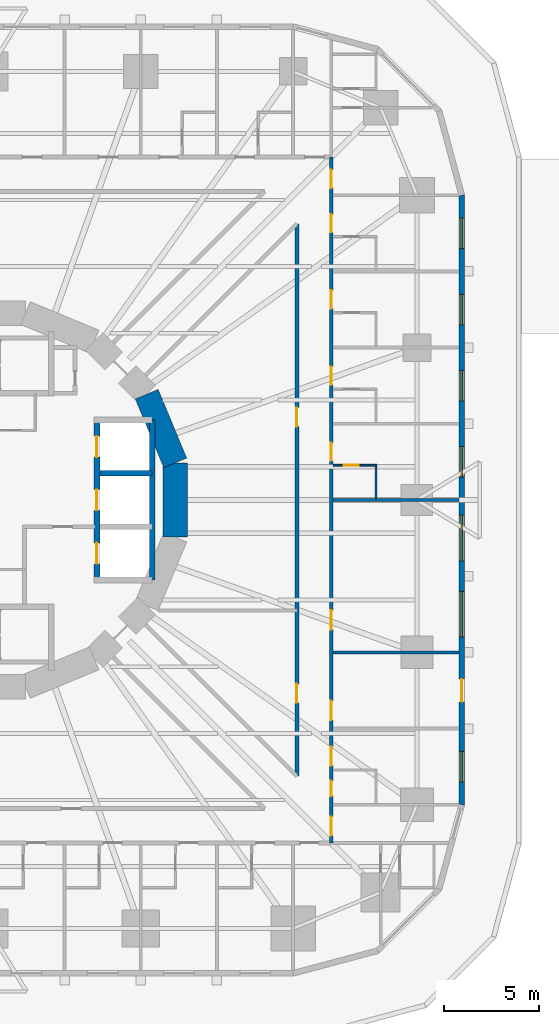
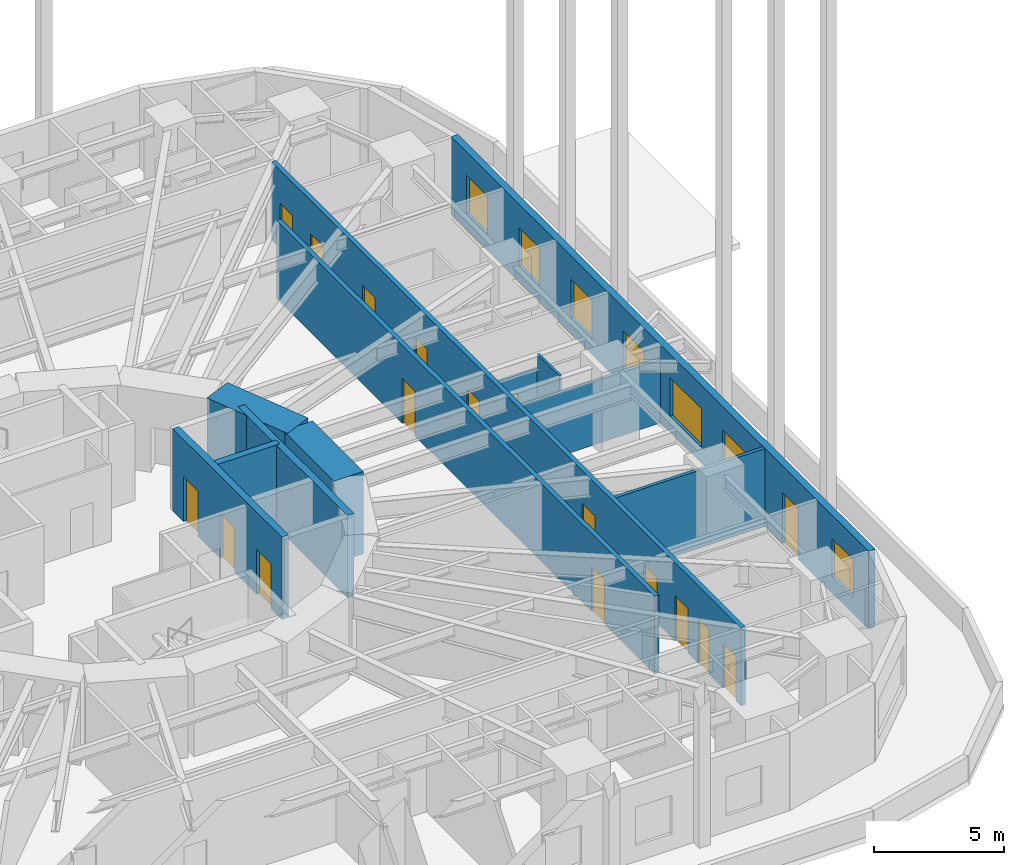
# One storey, part 8 of 13: 17 doors, 12 walls, 7 windows, 24 openings.
"""IFC4 building model written with IfcOpenShell, lengths in metres."""

import ifcopenshell
import ifcopenshell.guid

model = None  # the IFC model being written
_history = None  # IfcOwnerHistory: only IFC2X3 demands one
_inside = {}  # id of a spatial element -> (the spatial element, [elements in it])
_under = {}  # id of a project, library or spatial element -> (it, [spatial elements below it])
_declared = {}  # id of a project -> (the project, [libraries it declares])
_typed = {}  # id of a type object -> (the type object, [elements of that type])
_made_of = {}  # id of a material, layer set ... -> (it, [elements and type objects made of it])


def new_model(schema):
    """Start an empty IFC model of exactly this schema.

    Asked for "IFC4X3", IfcOpenShell would pick the latest addendum, in which some entities
    have other attributes; the version numbers below select the first issue.
    IFC2X3 requires an IfcOwnerHistory on every rooted entity: one is made here for all.
    """
    global model, _history
    if schema == "IFC4X3":
        model = ifcopenshell.file(schema_version=(4, 3, 0, 0))
    else:
        model = ifcopenshell.file(schema=schema)
    _inside.clear()
    _under.clear()
    _declared.clear()
    _typed.clear()
    _made_of.clear()
    _history = None
    if model.schema == "IFC2X3":
        org = make("IfcOrganization", Name="unknown")
        user = make(
            "IfcPersonAndOrganization",
            ThePerson=make("IfcPerson", FamilyName="unknown"),
            TheOrganization=org,
        )
        app = make(
            "IfcApplication",
            ApplicationDeveloper=org,
            Version="unknown",
            ApplicationFullName="unknown",
            ApplicationIdentifier="unknown",
        )
        _history = make(
            "IfcOwnerHistory",
            OwningUser=user,
            OwningApplication=app,
            ChangeAction="ADDED",
            CreationDate=0,
        )
    return model


def make(cls, **values):
    """One entity of the class cls with the attributes given. An attribute that is None is left unset."""
    return model.create_entity(
        cls, **{name: value for name, value in values.items() if value is not None}
    )


def rooted(cls, **values):
    """An entity with a GlobalId (a new one), such as an element, a storey or a relation."""
    return make(cls, GlobalId=ifcopenshell.guid.new(), OwnerHistory=_history, **values)


def si_unit(unit_type, name, prefix=None):
    """IfcSIUnit, for example si_unit("LENGTHUNIT", "METRE", prefix="MILLI")."""
    return make("IfcSIUnit", UnitType=unit_type, Prefix=prefix, Name=name)


def assignment(units):
    """IfcUnitAssignment: the units of a project."""
    return None if units is None else make("IfcUnitAssignment", Units=units)


def point(xyz):
    """IfcCartesianPoint."""
    return None if xyz is None else make("IfcCartesianPoint", Coordinates=xyz)


def direction(xyz):
    """IfcDirection."""
    return None if xyz is None else make("IfcDirection", DirectionRatios=xyz)


def frame(location, z_axis=None, x_axis=None):
    """IfcAxis2Placement3D, a coordinate frame: its origin and axes. An axis left out is left unset."""
    return make(
        "IfcAxis2Placement3D",
        Location=point(location),
        Axis=direction(z_axis),
        RefDirection=direction(x_axis),
    )


def frame_2d(location, x_axis=None):
    """IfcAxis2Placement2D, a coordinate frame in the plane: its origin and x axis."""
    return make(
        "IfcAxis2Placement2D", Location=point(location), RefDirection=direction(x_axis)
    )


def origin():
    """The frame at (0, 0, 0) with its axes left unset."""
    return frame((0.0, 0.0, 0.0))


def place(relative_to, where):
    """IfcLocalPlacement: puts the frame where relative to a parent placement (None: the world)."""
    return make(
        "IfcLocalPlacement", PlacementRelTo=relative_to, RelativePlacement=where
    )


def context(
    kind, dimensions, precision=None, world=None, true_north=None, identifier=None
):
    """IfcGeometricRepresentationContext, for example the 3D "Model" context."""
    return make(
        "IfcGeometricRepresentationContext",
        ContextIdentifier=identifier,
        ContextType=kind,
        CoordinateSpaceDimension=dimensions,
        Precision=precision,
        WorldCoordinateSystem=world,
        TrueNorth=true_north,
    )


def subcontext(parent, identifier, kind, view, scale=None):
    """IfcGeometricRepresentationSubContext, for example "Body" below "Model"."""
    return make(
        "IfcGeometricRepresentationSubContext",
        ContextIdentifier=identifier,
        ContextType=kind,
        ParentContext=parent,
        TargetScale=scale,
        TargetView=view,
    )


def project(units=None, contexts=None):
    """IfcProject with its units and contexts."""
    return rooted(
        "IfcProject",
        Name="project",
        RepresentationContexts=contexts,
        UnitsInContext=assignment(units),
    )


def spatial(cls, under=None, at=None, **own):
    """A site, building, storey or space (cls), placed at a placement, below another one or the project."""
    s = rooted(cls, ObjectPlacement=at, **own)
    if under is not None:
        _under.setdefault(under.id(), (under, []))[1].append(s)
    return s


def profile(cls, at=None, kind="AREA", **sizes):
    """A parametric profile (cls). Its sizes go by their IFC names, for example OverallWidth=200.0."""
    return make(cls, ProfileType=kind, Position=at, **sizes)


def rectangle(**sizes):
    """IfcRectangleProfileDef."""
    return profile("IfcRectangleProfileDef", **sizes)


def extrude(swept, where, along, depth):
    """IfcExtrudedAreaSolid: the profile swept, set in the frame where, extruded along a direction by depth."""
    return make(
        "IfcExtrudedAreaSolid",
        SweptArea=swept,
        Position=where,
        ExtrudedDirection=direction(along),
        Depth=depth,
    )


def shape(context_of_items, identifier, shape_type, items):
    """IfcShapeRepresentation: the items that make up one representation, for example the "Body"."""
    return make(
        "IfcShapeRepresentation",
        ContextOfItems=context_of_items,
        RepresentationIdentifier=identifier,
        RepresentationType=shape_type,
        Items=items,
    )


def material(Name=None, Category=None):
    """IfcMaterial."""
    return make("IfcMaterial", Name=Name, Category=Category)


def layer(
    of_material, thickness, ventilated=None, Name=None, Category=None, Priority=None
):
    """IfcMaterialLayer: one layer of a wall or slab, of a material (None: an air gap)."""
    return make(
        "IfcMaterialLayer",
        Material=of_material,
        LayerThickness=thickness,
        IsVentilated=ventilated,
        Name=Name,
        Category=Category,
        Priority=Priority,
    )


def layer_set(layers, Name=None):
    """IfcMaterialLayerSet."""
    return make("IfcMaterialLayerSet", MaterialLayers=layers, LayerSetName=Name)


def made_of(thing, what):
    """Note that an element or type object is made of a material, layer set ...; save() writes the relation."""
    if what is not None:
        _made_of.setdefault(what.id(), (what, []))[1].append(thing)
    return thing


def type_object(cls, material=None, **own):
    """A type object (cls), such as IfcWallType, which elements share."""
    return made_of(rooted(cls, **own), material)


def element(
    cls,
    number,
    at=None,
    inside=None,
    cuts=None,
    type_object=None,
    material=None,
    context=None,
    identifier="Body",
    shape_type=None,
    held_by="IfcProductDefinitionShape",
    body=None,
    shapes=None,
    **own,
):
    """One element of the class cls, such as IfcWall. Its Tag is "e" and its number.

    at: its placement. inside: the storey or other place that contains it. cuts: it is an
    opening in that element (IfcRelVoidsElement). A single representation is given by context,
    identifier, shape_type and body (its items); several are given by shapes. held_by: the class
    of the entity that holds the representations. save() writes the other relations.
    """
    e = rooted(cls, Tag="e%d" % number, ObjectPlacement=at, **own)
    if body is not None:
        shapes = [shape(context, identifier, shape_type, body)]
    if shapes is not None:
        e.Representation = make(held_by, Representations=shapes)
    if inside is not None:
        _inside.setdefault(inside.id(), (inside, []))[1].append(e)
    if cuts is not None:
        rooted(
            "IfcRelVoidsElement", RelatingBuildingElement=cuts, RelatedOpeningElement=e
        )
    if type_object is not None:
        _typed.setdefault(type_object.id(), (type_object, []))[1].append(e)
    return made_of(e, material)


def fill(opening, filler):
    """IfcRelFillsElement: the door or window that sits in an opening."""
    return rooted(
        "IfcRelFillsElement",
        RelatingOpeningElement=opening,
        RelatedBuildingElement=filler,
    )


def aggregate(whole, parts):
    """IfcRelAggregates: a whole, such as a stair, and the parts it consists of."""
    return rooted("IfcRelAggregates", RelatingObject=whole, RelatedObjects=parts)


def save(model, path):
    """Write the relations noted so far, then the file.

    IfcRelAggregates (storeys below a building ...), IfcRelContainedInSpatialStructure (elements
    in a storey), IfcRelDefinesByType, IfcRelAssociatesMaterial and IfcRelDeclares: one each for
    every whole, place, type object, material and project.
    """
    for whole, parts in _under.values():
        aggregate(whole, parts)
    for where, things in _inside.values():
        rooted(
            "IfcRelContainedInSpatialStructure",
            RelatedElements=things,
            RelatingStructure=where,
        )
    for kind, things in _typed.values():
        rooted("IfcRelDefinesByType", RelatedObjects=things, RelatingType=kind)
    for what, things in _made_of.values():
        rooted("IfcRelAssociatesMaterial", RelatedObjects=things, RelatingMaterial=what)
    for by, libraries in _declared.values():
        rooted("IfcRelDeclares", RelatingContext=by, RelatedDefinitions=libraries)
    model.write(path)


model = new_model("IFC4")

# Units and contexts
model_context = context("Model", 3, precision=1e-05, world=origin(), true_north=direction((0.0, 1.0)))
body_context = subcontext(model_context, "Body", "Model", "MODEL_VIEW")
ifc_project = project(units=[si_unit("LENGTHUNIT", "METRE"), si_unit("AREAUNIT", "SQUARE_METRE"), si_unit("VOLUMEUNIT", "CUBIC_METRE"), si_unit("PLANEANGLEUNIT", "RADIAN"), si_unit("MASSUNIT", "GRAM", prefix="KILO")], contexts=[model_context])

# Site, building, storey
site_placement = place(None, origin())
site = spatial("IfcSite", under=ifc_project, at=site_placement, CompositionType="ELEMENT")
building_placement = place(site_placement, origin())
building = spatial("IfcBuilding", under=site, at=building_placement, Name="Nakasero Lantern House", CompositionType="ELEMENT")
storey_placement = place(building_placement, frame((0.0, 0.0, 16.0)))
storey = spatial("IfcBuildingStorey", under=building, at=storey_placement, Name="L03", CompositionType="ELEMENT", Elevation=16.0)

# Wall, openings, doors
ifc_material_1 = material(Name="Concrete C50/60", Category="concrete")
ifc_layer_1 = layer(ifc_material_1, 0.300048828125)
ifc_layer_set_1 = layer_set([ifc_layer_1], Name="Core inner wall 300")
wall_type_1 = type_object("IfcWallType", Name="Core inner wall 300", PredefinedType="SHEAR", material=ifc_layer_set_1)
wall_1_placement = place(storey_placement, frame((5.699951171875, -4.199951171875, 0.0), z_axis=(0.0, 0.0, 1.0), x_axis=(0.0, 1.0, 0.0)))
wall_1 = element("IfcWall", 1, at=wall_1_placement, inside=storey, type_object=wall_type_1, Name="Core inner wall L03 LE", PredefinedType="SHEAR", context=body_context, shape_type="SweptSolid", body=[
    extrude(rectangle(XDim=8.39990234375, YDim=0.300048828125, at=frame_2d((4.199951171875, 0.0))), origin(), (0.0, 0.0, 1.0), 3.85009765625),
])
opening_1_placement = place(wall_1_placement, frame((0.85009765625, 0.0, 0.0)))
opening_1 = element("IfcOpeningElement", 2, at=opening_1_placement, cuts=wall_1, Name="Opening LD", PredefinedType="OPENING", context=body_context, shape_type="SweptSolid", body=[
    extrude(rectangle(XDim=1.10009765625, YDim=2.10009765625, at=frame_2d((0.550048828125, 1.050048828125))), frame((0.0, 0.169921875, 0.0), z_axis=(0.0, -1.0, 0.0), x_axis=(1.0, 0.0, 0.0)), (0.0, 0.0, 1.0), 0.340087890625),
])
opening_2_placement = place(wall_1_placement, frame((3.64990234375, 0.0, 0.0)))
opening_2 = element("IfcOpeningElement", 3, at=opening_2_placement, cuts=wall_1, Name="Opening LD", PredefinedType="OPENING", context=body_context, shape_type="SweptSolid", body=[
    extrude(rectangle(XDim=1.10009765625, YDim=2.10009765625, at=frame_2d((0.550048828125, 1.050048828125))), frame((0.0, 0.169921875, 0.0), z_axis=(0.0, -1.0, 0.0), x_axis=(1.0, 0.0, 0.0)), (0.0, 0.0, 1.0), 0.340087890625),
])
opening_3_placement = place(wall_1_placement, frame((6.449951171875, 0.0, 0.0)))
opening_3 = element("IfcOpeningElement", 4, at=opening_3_placement, cuts=wall_1, Name="Opening LD", PredefinedType="OPENING", context=body_context, shape_type="SweptSolid", body=[
    extrude(rectangle(XDim=1.10009765625, YDim=2.10009765625, at=frame_2d((0.550048828125, 1.050048828125))), frame((0.0, 0.169921875, 0.0), z_axis=(0.0, -1.0, 0.0), x_axis=(1.0, 0.0, 0.0)), (0.0, 0.0, 1.0), 0.340087890625),
])
ifc_material_2 = material(Name="Steel S355", Category="steel")
door_type_1 = type_object("IfcDoorType", Name="Lift landing door E120 1100", OperationType="SLIDING_TO_LEFT", PredefinedType="DOOR", material=ifc_material_2)
door_1_placement = place(opening_1_placement, origin())
door_1 = element("IfcDoor", 5, at=door_1_placement, inside=storey, type_object=door_type_1, Name="Lift landing door LE1", OperationType="SLIDING_TO_LEFT", OverallHeight=2.10009765625, OverallWidth=1.10009765625, PredefinedType="DOOR", context=body_context, shape_type="SweptSolid", body=[
    extrude(rectangle(XDim=1.10009765625, YDim=2.10009765625, at=frame_2d((0.550048828125, 1.050048828125))), frame((0.0, 0.02490234375, 0.0), z_axis=(0.0, -1.0, 0.0), x_axis=(1.0, 0.0, 0.0)), (0.0, 0.0, 1.0), 0.050048828125),
])
fill(opening_1, door_1)
door_2_placement = place(opening_2_placement, origin())
door_2 = element("IfcDoor", 6, at=door_2_placement, inside=storey, type_object=door_type_1, Name="Lift landing door LE2", OperationType="SLIDING_TO_LEFT", OverallHeight=2.10009765625, OverallWidth=1.10009765625, PredefinedType="DOOR", context=body_context, shape_type="SweptSolid", body=[
    extrude(rectangle(XDim=1.10009765625, YDim=2.10009765625, at=frame_2d((0.550048828125, 1.050048828125))), frame((0.0, 0.02490234375, 0.0), z_axis=(0.0, -1.0, 0.0), x_axis=(1.0, 0.0, 0.0)), (0.0, 0.0, 1.0), 0.050048828125),
])
fill(opening_2, door_2)
door_3_placement = place(opening_3_placement, origin())
door_3 = element("IfcDoor", 7, at=door_3_placement, inside=storey, type_object=door_type_1, Name="Lift landing door LE3", OperationType="SLIDING_TO_LEFT", OverallHeight=2.10009765625, OverallWidth=1.10009765625, PredefinedType="DOOR", context=body_context, shape_type="SweptSolid", body=[
    extrude(rectangle(XDim=1.10009765625, YDim=2.10009765625, at=frame_2d((0.550048828125, 1.050048828125))), frame((0.0, 0.02490234375, 0.0), z_axis=(0.0, -1.0, 0.0), x_axis=(1.0, 0.0, 0.0)), (0.0, 0.0, 1.0), 0.050048828125),
])
fill(opening_3, door_3)

# Walls
wall_2_placement = place(storey_placement, frame((8.60009765625, -4.199951171875, 0.0), z_axis=(0.0, 0.0, 1.0), x_axis=(0.0, 1.0, 0.0)))
element("IfcWall", 8, at=wall_2_placement, inside=storey, type_object=wall_type_1, Name="Core inner wall L03 LEB", PredefinedType="SHEAR", context=body_context, shape_type="SweptSolid", body=[
    extrude(rectangle(XDim=8.39990234375, YDim=0.300048828125, at=frame_2d((4.199951171875, 0.0))), origin(), (0.0, 0.0, 1.0), 3.85009765625),
])
wall_3_placement = place(storey_placement, frame((5.85009765625, 1.39990234375, 0.0), z_axis=(0.0, 0.0, 1.0), x_axis=(1.0, 0.0, 0.0)))
element("IfcWall", 9, at=wall_3_placement, inside=storey, type_object=wall_type_1, Name="Core inner wall L03 LE2", PredefinedType="SHEAR", context=body_context, shape_type="SweptSolid", body=[
    extrude(rectangle(XDim=2.75, YDim=0.300048828125, at=frame_2d((1.375, 0.0))), origin(), (0.0, 0.0, 1.0), 3.85009765625),
])
ifc_material_3 = material(Name="Concrete C50/60", Category="concrete")
ifc_layer_2 = layer(ifc_material_3, 1.300048828125)
ifc_layer_set_2 = layer_set([ifc_layer_2], Name="Core wall 1300")
wall_type_2 = type_object("IfcWallType", Name="Core wall 1300", PredefinedType="SHEAR", material=ifc_layer_set_2)
for number, where, z_axis, x_axis, name in (
    (10, (9.807861328125, 1.950927734375, 0.0), (0.0, 0.0, 1.0), (-0.382690736062, 0.923876507187, 0.0), "Core wall L03 facet 1"),
    (11, (9.807861328125, -1.950927734375, 0.0), (0.0, 0.0, 1.0), (0.0, 1.0, 0.0), "Core wall L03 facet 16"),
):
    element("IfcWall", number, at=place(storey_placement, frame(where, z_axis=z_axis, x_axis=x_axis)), inside=storey, type_object=wall_type_2, Name=name, PredefinedType="SHEAR", context=body_context, shape_type="SweptSolid", body=[
        extrude(rectangle(XDim=3.90185546875, YDim=1.300048828125, at=frame_2d((1.950927734375, 0.0))), origin(), (0.0, 0.0, 1.0), 3.85009765625),
    ])

# Wall, openings, doors
ifc_material_4 = material(Name="Blockwork", Category="masonry")
ifc_layer_3 = layer(ifc_material_4, 0.199951171875)
ifc_layer_set_3 = layer_set([ifc_layer_3], Name="Corridor wall 200")
wall_type_3 = type_object("IfcWallType", Name="Corridor wall 200", PredefinedType="PARTITIONING", material=ifc_layer_set_3)
wall_4_placement = place(storey_placement, frame((18.0, -18.0, 0.0), z_axis=(0.0, 0.0, 1.0), x_axis=(0.0, 1.0, 0.0)))
wall_4 = element("IfcWall", 12, at=wall_4_placement, inside=storey, type_object=wall_type_3, Name="Corridor wall L03 CW0", PredefinedType="PARTITIONING", context=body_context, shape_type="SweptSolid", body=[
    extrude(rectangle(XDim=36.0, YDim=0.199951171875, at=frame_2d((18.0, 0.0))), origin(), (0.0, 0.0, 1.0), 3.64990234375),
])
opening_4_placement = place(wall_4_placement, frame((0.375, 0.0, 0.0)))
opening_4 = element("IfcOpeningElement", 13, at=opening_4_placement, cuts=wall_4, Name="Opening D07", PredefinedType="OPENING", context=body_context, shape_type="SweptSolid", body=[
    extrude(rectangle(XDim=1.0, YDim=2.10009765625, at=frame_2d((0.5, 1.050048828125))), frame((0.0, 0.119873046875, 0.0), z_axis=(0.0, -1.0, 0.0), x_axis=(1.0, 0.0, 0.0)), (0.0, 0.0, 1.0), 0.239990234375),
])
opening_5_placement = place(wall_4_placement, frame((2.449951171875, 0.0, 0.0)))
opening_5 = element("IfcOpeningElement", 14, at=opening_5_placement, cuts=wall_4, Name="Opening D15", PredefinedType="OPENING", context=body_context, shape_type="SweptSolid", body=[
    extrude(rectangle(XDim=0.800048828125, YDim=2.10009765625, at=frame_2d((0.39990234375, 1.050048828125))), frame((0.0, 0.119873046875, 0.0), z_axis=(0.0, -1.0, 0.0), x_axis=(1.0, 0.0, 0.0)), (0.0, 0.0, 1.0), 0.239990234375),
])
opening_6_placement = place(wall_4_placement, frame((4.050048828125, 0.0, 0.0)))
opening_6 = element("IfcOpeningElement", 15, at=opening_6_placement, cuts=wall_4, Name="Opening D07", PredefinedType="OPENING", context=body_context, shape_type="SweptSolid", body=[
    extrude(rectangle(XDim=1.0, YDim=2.10009765625, at=frame_2d((0.5, 1.050048828125))), frame((0.0, 0.119873046875, 0.0), z_axis=(0.0, -1.0, 0.0), x_axis=(1.0, 0.0, 0.0)), (0.0, 0.0, 1.0), 0.239990234375),
])
opening_7_placement = place(wall_4_placement, frame((6.449951171875, 0.0, 0.0)))
opening_7 = element("IfcOpeningElement", 16, at=opening_7_placement, cuts=wall_4, Name="Opening D07", PredefinedType="OPENING", context=body_context, shape_type="SweptSolid", body=[
    extrude(rectangle(XDim=1.0, YDim=2.10009765625, at=frame_2d((0.5, 1.050048828125))), frame((0.0, 0.119873046875, 0.0), z_axis=(0.0, -1.0, 0.0), x_axis=(1.0, 0.0, 0.0)), (0.0, 0.0, 1.0), 0.239990234375),
])
opening_8_placement = place(wall_4_placement, frame((20.050048828125, 0.0, 0.0)))
opening_8 = element("IfcOpeningElement", 17, at=opening_8_placement, cuts=wall_4, Name="Opening D01", PredefinedType="OPENING", context=body_context, shape_type="SweptSolid", body=[
    extrude(rectangle(XDim=0.949951171875, YDim=2.10009765625, at=frame_2d((0.47509765625, 1.050048828125))), frame((0.0, 0.119873046875, 0.0), z_axis=(0.0, -1.0, 0.0), x_axis=(1.0, 0.0, 0.0)), (0.0, 0.0, 1.0), 0.239990234375),
])
opening_9_placement = place(wall_4_placement, frame((24.050048828125, 0.0, 0.0)))
opening_9 = element("IfcOpeningElement", 18, at=opening_9_placement, cuts=wall_4, Name="Opening D01", PredefinedType="OPENING", context=body_context, shape_type="SweptSolid", body=[
    extrude(rectangle(XDim=0.949951171875, YDim=2.10009765625, at=frame_2d((0.47509765625, 1.050048828125))), frame((0.0, 0.119873046875, 0.0), z_axis=(0.0, -1.0, 0.0), x_axis=(1.0, 0.0, 0.0)), (0.0, 0.0, 1.0), 0.239990234375),
])
opening_10_placement = place(wall_4_placement, frame((28.050048828125, 0.0, 0.0)))
opening_10 = element("IfcOpeningElement", 19, at=opening_10_placement, cuts=wall_4, Name="Opening D01", PredefinedType="OPENING", context=body_context, shape_type="SweptSolid", body=[
    extrude(rectangle(XDim=0.949951171875, YDim=2.10009765625, at=frame_2d((0.47509765625, 1.050048828125))), frame((0.0, 0.119873046875, 0.0), z_axis=(0.0, -1.0, 0.0), x_axis=(1.0, 0.0, 0.0)), (0.0, 0.0, 1.0), 0.239990234375),
])
opening_11_placement = place(wall_4_placement, frame((32.050048828125, 0.0, 0.0)))
opening_11 = element("IfcOpeningElement", 20, at=opening_11_placement, cuts=wall_4, Name="Opening D01", PredefinedType="OPENING", context=body_context, shape_type="SweptSolid", body=[
    extrude(rectangle(XDim=0.949951171875, YDim=2.10009765625, at=frame_2d((0.47509765625, 1.050048828125))), frame((0.0, 0.119873046875, 0.0), z_axis=(0.0, -1.0, 0.0), x_axis=(1.0, 0.0, 0.0)), (0.0, 0.0, 1.0), 0.239990234375),
])
opening_12_placement = place(wall_4_placement, frame((34.375, 0.0, 0.0)))
opening_12 = element("IfcOpeningElement", 21, at=opening_12_placement, cuts=wall_4, Name="Opening D01", PredefinedType="OPENING", context=body_context, shape_type="SweptSolid", body=[
    extrude(rectangle(XDim=0.949951171875, YDim=2.10009765625, at=frame_2d((0.47509765625, 1.050048828125))), frame((0.0, 0.119873046875, 0.0), z_axis=(0.0, -1.0, 0.0), x_axis=(1.0, 0.0, 0.0)), (0.0, 0.0, 1.0), 0.239990234375),
])
opening_13_placement = place(wall_4_placement, frame((11.199951171875, 0.0, 0.0)))
opening_13 = element("IfcOpeningElement", 22, at=opening_13_placement, cuts=wall_4, Name="Opening D03", PredefinedType="OPENING", context=body_context, shape_type="SweptSolid", body=[
    extrude(rectangle(XDim=1.0, YDim=2.10009765625, at=frame_2d((0.5, 1.050048828125))), frame((0.0, 0.119873046875, 0.0), z_axis=(0.0, -1.0, 0.0), x_axis=(1.0, 0.0, 0.0)), (0.0, 0.0, 1.0), 0.239990234375),
])
ifc_material_5 = material(Name="Timber C24", Category="wood")
door_type_2 = type_object("IfcDoorType", Name="Bedroom door FD30S 950", OperationType="SINGLE_SWING_LEFT", PredefinedType="DOOR", material=ifc_material_5)
door_4_placement = place(opening_8_placement, origin())
door_4 = element("IfcDoor", 23, at=door_4_placement, inside=storey, type_object=door_type_2, Name="Door L03 D0-05", OperationType="SINGLE_SWING_RIGHT", OverallHeight=2.10009765625, OverallWidth=0.949951171875, PredefinedType="DOOR", context=body_context, shape_type="SweptSolid", body=[
    extrude(rectangle(XDim=0.949951171875, YDim=2.10009765625, at=frame_2d((0.47509765625, 1.050048828125))), frame((0.0, 0.02490234375, 0.0), z_axis=(0.0, -1.0, 0.0), x_axis=(1.0, 0.0, 0.0)), (0.0, 0.0, 1.0), 0.050048828125),
])
fill(opening_8, door_4)
door_5_placement = place(opening_9_placement, origin())
door_5 = element("IfcDoor", 24, at=door_5_placement, inside=storey, type_object=door_type_2, Name="Door L03 D0-06", OperationType="SINGLE_SWING_RIGHT", OverallHeight=2.10009765625, OverallWidth=0.949951171875, PredefinedType="DOOR", context=body_context, shape_type="SweptSolid", body=[
    extrude(rectangle(XDim=0.949951171875, YDim=2.10009765625, at=frame_2d((0.47509765625, 1.050048828125))), frame((0.0, 0.02490234375, 0.0), z_axis=(0.0, -1.0, 0.0), x_axis=(1.0, 0.0, 0.0)), (0.0, 0.0, 1.0), 0.050048828125),
])
fill(opening_9, door_5)
door_6_placement = place(opening_10_placement, origin())
door_6 = element("IfcDoor", 25, at=door_6_placement, inside=storey, type_object=door_type_2, Name="Door L03 D0-07", OperationType="SINGLE_SWING_RIGHT", OverallHeight=2.10009765625, OverallWidth=0.949951171875, PredefinedType="DOOR", context=body_context, shape_type="SweptSolid", body=[
    extrude(rectangle(XDim=0.949951171875, YDim=2.10009765625, at=frame_2d((0.47509765625, 1.050048828125))), frame((0.0, 0.02490234375, 0.0), z_axis=(0.0, -1.0, 0.0), x_axis=(1.0, 0.0, 0.0)), (0.0, 0.0, 1.0), 0.050048828125),
])
fill(opening_10, door_6)
door_7_placement = place(opening_11_placement, origin())
door_7 = element("IfcDoor", 26, at=door_7_placement, inside=storey, type_object=door_type_2, Name="Door L03 D0-08", OperationType="SINGLE_SWING_RIGHT", OverallHeight=2.10009765625, OverallWidth=0.949951171875, PredefinedType="DOOR", context=body_context, shape_type="SweptSolid", body=[
    extrude(rectangle(XDim=0.949951171875, YDim=2.10009765625, at=frame_2d((0.47509765625, 1.050048828125))), frame((0.0, 0.02490234375, 0.0), z_axis=(0.0, -1.0, 0.0), x_axis=(1.0, 0.0, 0.0)), (0.0, 0.0, 1.0), 0.050048828125),
])
fill(opening_11, door_7)
door_8_placement = place(opening_12_placement, origin())
door_8 = element("IfcDoor", 27, at=door_8_placement, inside=storey, type_object=door_type_2, Name="Door L03 D0-09", OperationType="SINGLE_SWING_RIGHT", OverallHeight=2.10009765625, OverallWidth=0.949951171875, PredefinedType="DOOR", context=body_context, shape_type="SweptSolid", body=[
    extrude(rectangle(XDim=0.949951171875, YDim=2.10009765625, at=frame_2d((0.47509765625, 1.050048828125))), frame((0.0, 0.02490234375, 0.0), z_axis=(0.0, -1.0, 0.0), x_axis=(1.0, 0.0, 0.0)), (0.0, 0.0, 1.0), 0.050048828125),
])
fill(opening_12, door_8)
ifc_material_6 = material(Name="Timber C24", Category="wood")
door_type_3 = type_object("IfcDoorType", Name="Cleaner's store door FD30S 800", OperationType="SINGLE_SWING_LEFT", PredefinedType="DOOR", material=ifc_material_6)
door_9_placement = place(opening_5_placement, origin())
door_9 = element("IfcDoor", 28, at=door_9_placement, inside=storey, type_object=door_type_3, Name="Door L03 DS0-01", OperationType="SINGLE_SWING_LEFT", OverallHeight=2.10009765625, OverallWidth=0.800048828125, PredefinedType="DOOR", context=body_context, shape_type="SweptSolid", body=[
    extrude(rectangle(XDim=0.800048828125, YDim=2.10009765625, at=frame_2d((0.39990234375, 1.050048828125))), frame((0.0, 0.02490234375, 0.0), z_axis=(0.0, -1.0, 0.0), x_axis=(1.0, 0.0, 0.0)), (0.0, 0.0, 1.0), 0.050048828125),
])
fill(opening_5, door_9)
ifc_material_7 = material(Name="Timber C24", Category="wood")
door_type_4 = type_object("IfcDoorType", Name="Lounge door FD30S 1000", OperationType="SINGLE_SWING_LEFT", PredefinedType="DOOR", material=ifc_material_7)
door_10_placement = place(opening_13_placement, origin())
door_10 = element("IfcDoor", 29, at=door_10_placement, inside=storey, type_object=door_type_4, Name="Door L03 DK0", OperationType="SINGLE_SWING_LEFT", OverallHeight=2.10009765625, OverallWidth=1.0, PredefinedType="DOOR", context=body_context, shape_type="SweptSolid", body=[
    extrude(rectangle(XDim=1.0, YDim=2.10009765625, at=frame_2d((0.5, 1.050048828125))), frame((0.0, 0.02490234375, 0.0), z_axis=(0.0, -1.0, 0.0), x_axis=(1.0, 0.0, 0.0)), (0.0, 0.0, 1.0), 0.050048828125),
])
fill(opening_13, door_10)
ifc_material_8 = material(Name="Timber C24", Category="wood")
door_type_5 = type_object("IfcDoorType", Name="Room door FD30S 1000", OperationType="SINGLE_SWING_LEFT", PredefinedType="DOOR", material=ifc_material_8)
door_11_placement = place(opening_4_placement, origin())
door_11 = element("IfcDoor", 30, at=door_11_placement, inside=storey, type_object=door_type_5, Name="Door L03 D0-00", OperationType="SINGLE_SWING_LEFT", OverallHeight=2.10009765625, OverallWidth=1.0, PredefinedType="DOOR", context=body_context, shape_type="SweptSolid", body=[
    extrude(rectangle(XDim=1.0, YDim=2.10009765625, at=frame_2d((0.5, 1.050048828125))), frame((0.0, 0.02490234375, 0.0), z_axis=(0.0, -1.0, 0.0), x_axis=(1.0, 0.0, 0.0)), (0.0, 0.0, 1.0), 0.050048828125),
])
fill(opening_4, door_11)
door_12_placement = place(opening_6_placement, origin())
door_12 = element("IfcDoor", 31, at=door_12_placement, inside=storey, type_object=door_type_5, Name="Door L03 D0-01", OperationType="SINGLE_SWING_LEFT", OverallHeight=2.10009765625, OverallWidth=1.0, PredefinedType="DOOR", context=body_context, shape_type="SweptSolid", body=[
    extrude(rectangle(XDim=1.0, YDim=2.10009765625, at=frame_2d((0.5, 1.050048828125))), frame((0.0, 0.02490234375, 0.0), z_axis=(0.0, -1.0, 0.0), x_axis=(1.0, 0.0, 0.0)), (0.0, 0.0, 1.0), 0.050048828125),
])
fill(opening_6, door_12)
door_13_placement = place(opening_7_placement, origin())
door_13 = element("IfcDoor", 32, at=door_13_placement, inside=storey, type_object=door_type_5, Name="Door L03 D0-02", OperationType="SINGLE_SWING_LEFT", OverallHeight=2.10009765625, OverallWidth=1.0, PredefinedType="DOOR", context=body_context, shape_type="SweptSolid", body=[
    extrude(rectangle(XDim=1.0, YDim=2.10009765625, at=frame_2d((0.5, 1.050048828125))), frame((0.0, 0.02490234375, 0.0), z_axis=(0.0, -1.0, 0.0), x_axis=(1.0, 0.0, 0.0)), (0.0, 0.0, 1.0), 0.050048828125),
])
fill(opening_7, door_13)

wall_5_placement = place(storey_placement, frame((16.199951171875, -14.5029296875, 0.0), z_axis=(0.0, 0.0, 1.0), x_axis=(0.0, 1.0, 0.0)))
wall_5 = element("IfcWall", 33, at=wall_5_placement, inside=storey, type_object=wall_type_3, Name="Corridor wall L03 IW0-0", PredefinedType="PARTITIONING", context=body_context, shape_type="SweptSolid", body=[
    extrude(rectangle(XDim=29.005859375, YDim=0.199951171875, at=frame_2d((14.5029296875, 0.0))), origin(), (0.0, 0.0, 1.0), 3.64990234375),
])
opening_14_placement = place(wall_5_placement, frame((3.850830078125, 0.0, 0.0)))
opening_14 = element("IfcOpeningElement", 34, at=opening_14_placement, cuts=wall_5, Name="Opening D07", PredefinedType="OPENING", context=body_context, shape_type="SweptSolid", body=[
    extrude(rectangle(XDim=1.0, YDim=2.10009765625, at=frame_2d((0.5, 1.050048828125))), frame((0.0, 0.119873046875, 0.0), z_axis=(0.0, -1.0, 0.0), x_axis=(1.0, 0.0, 0.0)), (0.0, 0.0, 1.0), 0.239990234375),
])
opening_15_placement = place(wall_5_placement, frame((18.353759765625, 0.0, 0.0)))
opening_15 = element("IfcOpeningElement", 35, at=opening_15_placement, cuts=wall_5, Name="Opening D07", PredefinedType="OPENING", context=body_context, shape_type="SweptSolid", body=[
    extrude(rectangle(XDim=1.0, YDim=2.10009765625, at=frame_2d((0.5, 1.050048828125))), frame((0.0, 0.119873046875, 0.0), z_axis=(0.0, -1.0, 0.0), x_axis=(1.0, 0.0, 0.0)), (0.0, 0.0, 1.0), 0.239990234375),
])
door_14_placement = place(opening_14_placement, origin())
door_14 = element("IfcDoor", 36, at=door_14_placement, inside=storey, type_object=door_type_5, Name="Door L03 DI1", OperationType="SINGLE_SWING_LEFT", OverallHeight=2.10009765625, OverallWidth=1.0, PredefinedType="DOOR", context=body_context, shape_type="SweptSolid", body=[
    extrude(rectangle(XDim=1.0, YDim=2.10009765625, at=frame_2d((0.5, 1.050048828125))), frame((0.0, 0.02490234375, 0.0), z_axis=(0.0, -1.0, 0.0), x_axis=(1.0, 0.0, 0.0)), (0.0, 0.0, 1.0), 0.050048828125),
])
fill(opening_14, door_14)
door_15_placement = place(opening_15_placement, origin())
door_15 = element("IfcDoor", 37, at=door_15_placement, inside=storey, type_object=door_type_5, Name="Door L03 DI1S", OperationType="SINGLE_SWING_RIGHT", OverallHeight=2.10009765625, OverallWidth=1.0, PredefinedType="DOOR", context=body_context, shape_type="SweptSolid", body=[
    extrude(rectangle(XDim=1.0, YDim=2.10009765625, at=frame_2d((0.5, 1.050048828125))), frame((0.0, 0.02490234375, 0.0), z_axis=(0.0, -1.0, 0.0), x_axis=(1.0, 0.0, 0.0)), (0.0, 0.0, 1.0), 0.050048828125),
])
fill(opening_15, door_15)

# Wall, opening, door
ifc_material_9 = material(Name="Blockwork", Category="masonry")
ifc_layer_4 = layer(ifc_material_9, 0.10009765625)
ifc_layer_set_4 = layer_set([ifc_layer_4], Name="En-suite wall 100")
wall_type_4 = type_object("IfcWallType", Name="En-suite wall 100", PredefinedType="PARTITIONING", material=ifc_layer_set_4)
wall_6_placement = place(storey_placement, frame((18.10009765625, 1.824951171875, 0.0), z_axis=(0.0, 0.0, 1.0), x_axis=(1.0, 0.0, 0.0)))
wall_6 = element("IfcWall", 38, at=wall_6_placement, inside=storey, type_object=wall_type_4, Name="En-suite wall L03 ES0-05", PredefinedType="PARTITIONING", context=body_context, shape_type="SweptSolid", body=[
    extrude(rectangle(XDim=2.2998046875, YDim=0.10009765625, at=frame_2d((1.14990234375, 0.0))), origin(), (0.0, 0.0, 1.0), 2.966552734375),
])
opening_16_placement = place(wall_6_placement, frame((0.550048828125, 0.0, 0.0)))
opening_16 = element("IfcOpeningElement", 39, at=opening_16_placement, cuts=wall_6, Name="Opening D02", PredefinedType="OPENING", context=body_context, shape_type="SweptSolid", body=[
    extrude(rectangle(XDim=0.800048828125, YDim=2.10009765625, at=frame_2d((0.39990234375, 1.050048828125))), frame((0.0, 0.070068359375, 0.0), z_axis=(0.0, -1.0, 0.0), x_axis=(1.0, 0.0, 0.0)), (0.0, 0.0, 1.0), 0.14013671875),
])
ifc_material_10 = material(Name="Timber C24", Category="wood")
door_type_6 = type_object("IfcDoorType", Name="En-suite door 800", OperationType="SINGLE_SWING_RIGHT", PredefinedType="DOOR", material=ifc_material_10)
door_16_placement = place(opening_16_placement, origin())
door_16 = element("IfcDoor", 40, at=door_16_placement, inside=storey, type_object=door_type_6, Name="Door L03 DE0-05", OperationType="SINGLE_SWING_LEFT", OverallHeight=2.10009765625, OverallWidth=0.800048828125, PredefinedType="DOOR", context=body_context, shape_type="SweptSolid", body=[
    extrude(rectangle(XDim=0.800048828125, YDim=2.10009765625, at=frame_2d((0.39990234375, 1.050048828125))), frame((0.0, 0.02490234375, 0.0), z_axis=(0.0, -1.0, 0.0), x_axis=(1.0, 0.0, 0.0)), (0.0, 0.0, 1.0), 0.050048828125),
])
fill(opening_16, door_16)

# Wall
wall_7_placement = place(storey_placement, frame((20.35009765625, 0.074951171875, 0.0), z_axis=(0.0, 0.0, 1.0), x_axis=(0.0, 1.0, 0.0)))
element("IfcWall", 41, at=wall_7_placement, inside=storey, type_object=wall_type_4, Name="En-suite wall L03 EE0-05", PredefinedType="PARTITIONING", context=body_context, shape_type="SweptSolid", body=[
    extrude(rectangle(XDim=1.699951171875, YDim=0.10009765625, at=frame_2d((0.85009765625, 0.0))), origin(), (0.0, 0.0, 1.0), 3.64990234375),
])

# Wall, openings, windows, door
ifc_material_11 = material(Name="Aluminium rainscreen on blockwork", Category="masonry")
ifc_layer_5 = layer(ifc_material_11, 0.300048828125)
ifc_layer_set_5 = layer_set([ifc_layer_5], Name="Facade wall 300")
wall_type_5 = type_object("IfcWallType", Name="Facade wall 300", PredefinedType="SOLIDWALL", material=ifc_layer_set_5)
wall_8_placement = place(storey_placement, frame((24.85009765625, -16.0, 0.0), z_axis=(0.0, 0.0, 1.0), x_axis=(0.0, 1.0, 0.0)))
wall_8 = element("IfcWall", 42, at=wall_8_placement, inside=storey, type_object=wall_type_5, Name="Facade wall L03 FW0S", PredefinedType="SOLIDWALL", context=body_context, shape_type="SweptSolid", body=[
    extrude(rectangle(XDim=32.0, YDim=0.300048828125, at=frame_2d((16.0, 0.0))), origin(), (0.0, 0.0, 1.0), 3.64990234375),
])
opening_17_placement = place(wall_8_placement, frame((1.199951171875, 0.0, 0.75)))
opening_17 = element("IfcOpeningElement", 43, at=opening_17_placement, cuts=wall_8, Name="Opening W01", PredefinedType="OPENING", context=body_context, shape_type="SweptSolid", body=[
    extrude(rectangle(XDim=1.60009765625, YDim=1.800048828125, at=frame_2d((0.800048828125, 0.89990234375))), frame((0.0, 0.169921875, 0.0), z_axis=(0.0, -1.0, 0.0), x_axis=(1.0, 0.0, 0.0)), (0.0, 0.0, 1.0), 0.340087890625),
])
opening_18_placement = place(wall_8_placement, frame((17.199951171875, 0.0, 0.75)))
opening_18 = element("IfcOpeningElement", 44, at=opening_18_placement, cuts=wall_8, Name="Opening W01", PredefinedType="OPENING", context=body_context, shape_type="SweptSolid", body=[
    extrude(rectangle(XDim=1.60009765625, YDim=1.800048828125, at=frame_2d((0.800048828125, 0.89990234375))), frame((0.0, 0.169921875, 0.0), z_axis=(0.0, -1.0, 0.0), x_axis=(1.0, 0.0, 0.0)), (0.0, 0.0, 1.0), 0.340087890625),
])
opening_19_placement = place(wall_8_placement, frame((21.199951171875, 0.0, 0.75)))
opening_19 = element("IfcOpeningElement", 45, at=opening_19_placement, cuts=wall_8, Name="Opening W01", PredefinedType="OPENING", context=body_context, shape_type="SweptSolid", body=[
    extrude(rectangle(XDim=1.60009765625, YDim=1.800048828125, at=frame_2d((0.800048828125, 0.89990234375))), frame((0.0, 0.169921875, 0.0), z_axis=(0.0, -1.0, 0.0), x_axis=(1.0, 0.0, 0.0)), (0.0, 0.0, 1.0), 0.340087890625),
])
opening_20_placement = place(wall_8_placement, frame((25.199951171875, 0.0, 0.75)))
opening_20 = element("IfcOpeningElement", 46, at=opening_20_placement, cuts=wall_8, Name="Opening W01", PredefinedType="OPENING", context=body_context, shape_type="SweptSolid", body=[
    extrude(rectangle(XDim=1.60009765625, YDim=1.800048828125, at=frame_2d((0.800048828125, 0.89990234375))), frame((0.0, 0.169921875, 0.0), z_axis=(0.0, -1.0, 0.0), x_axis=(1.0, 0.0, 0.0)), (0.0, 0.0, 1.0), 0.340087890625),
])
opening_21_placement = place(wall_8_placement, frame((29.199951171875, 0.0, 0.75)))
opening_21 = element("IfcOpeningElement", 47, at=opening_21_placement, cuts=wall_8, Name="Opening W01", PredefinedType="OPENING", context=body_context, shape_type="SweptSolid", body=[
    extrude(rectangle(XDim=1.60009765625, YDim=1.800048828125, at=frame_2d((0.800048828125, 0.89990234375))), frame((0.0, 0.169921875, 0.0), z_axis=(0.0, -1.0, 0.0), x_axis=(1.0, 0.0, 0.0)), (0.0, 0.0, 1.0), 0.340087890625),
])
opening_22_placement = place(wall_8_placement, frame((8.800048828125, 0.0, 0.75)))
opening_22 = element("IfcOpeningElement", 48, at=opening_22_placement, cuts=wall_8, Name="Opening W03", PredefinedType="OPENING", context=body_context, shape_type="SweptSolid", body=[
    extrude(rectangle(XDim=2.39990234375, YDim=1.800048828125, at=frame_2d((1.199951171875, 0.89990234375))), frame((0.0, 0.169921875, 0.0), z_axis=(0.0, -1.0, 0.0), x_axis=(1.0, 0.0, 0.0)), (0.0, 0.0, 1.0), 0.340087890625),
])
opening_23_placement = place(wall_8_placement, frame((12.800048828125, 0.0, 0.75)))
opening_23 = element("IfcOpeningElement", 49, at=opening_23_placement, cuts=wall_8, Name="Opening W03", PredefinedType="OPENING", context=body_context, shape_type="SweptSolid", body=[
    extrude(rectangle(XDim=2.39990234375, YDim=1.800048828125, at=frame_2d((1.199951171875, 0.89990234375))), frame((0.0, 0.169921875, 0.0), z_axis=(0.0, -1.0, 0.0), x_axis=(1.0, 0.0, 0.0)), (0.0, 0.0, 1.0), 0.340087890625),
])
opening_24_placement = place(wall_8_placement, frame((5.39990234375, 0.0, 0.0)))
opening_24 = element("IfcOpeningElement", 50, at=opening_24_placement, cuts=wall_8, Name="Opening D09", PredefinedType="OPENING", context=body_context, shape_type="SweptSolid", body=[
    extrude(rectangle(XDim=1.199951171875, YDim=2.39990234375, at=frame_2d((0.60009765625, 1.199951171875))), frame((0.0, 0.169921875, 0.0), z_axis=(0.0, -1.0, 0.0), x_axis=(1.0, 0.0, 0.0)), (0.0, 0.0, 1.0), 0.340087890625),
])
ifc_material_12 = material(Name="Aluminium 6063-T6 and glass", Category="aluminium")
window_type_1 = type_object("IfcWindowType", Name="Bedroom window 1600x1800", PartitioningType="SINGLE_PANEL", PredefinedType="WINDOW", material=ifc_material_12)
window_1_placement = place(opening_17_placement, origin())
window_1 = element("IfcWindow", 51, at=window_1_placement, inside=storey, type_object=window_type_1, Name="Window L03 WN0-01", OverallHeight=1.800048828125, OverallWidth=1.60009765625, PartitioningType="SINGLE_PANEL", PredefinedType="WINDOW", context=body_context, shape_type="SweptSolid", body=[
    extrude(rectangle(XDim=1.60009765625, YDim=1.800048828125, at=frame_2d((0.800048828125, 0.89990234375))), frame((0.0, 0.030029296875, 0.0), z_axis=(0.0, -1.0, 0.0), x_axis=(1.0, 0.0, 0.0)), (0.0, 0.0, 1.0), 0.06005859375),
])
fill(opening_17, window_1)
window_2_placement = place(opening_18_placement, origin())
window_2 = element("IfcWindow", 52, at=window_2_placement, inside=storey, type_object=window_type_1, Name="Window L03 WN0-05", OverallHeight=1.800048828125, OverallWidth=1.60009765625, PartitioningType="SINGLE_PANEL", PredefinedType="WINDOW", context=body_context, shape_type="SweptSolid", body=[
    extrude(rectangle(XDim=1.60009765625, YDim=1.800048828125, at=frame_2d((0.800048828125, 0.89990234375))), frame((0.0, 0.030029296875, 0.0), z_axis=(0.0, -1.0, 0.0), x_axis=(1.0, 0.0, 0.0)), (0.0, 0.0, 1.0), 0.06005859375),
])
fill(opening_18, window_2)
window_3_placement = place(opening_19_placement, origin())
window_3 = element("IfcWindow", 53, at=window_3_placement, inside=storey, type_object=window_type_1, Name="Window L03 WN0-06", OverallHeight=1.800048828125, OverallWidth=1.60009765625, PartitioningType="SINGLE_PANEL", PredefinedType="WINDOW", context=body_context, shape_type="SweptSolid", body=[
    extrude(rectangle(XDim=1.60009765625, YDim=1.800048828125, at=frame_2d((0.800048828125, 0.89990234375))), frame((0.0, 0.030029296875, 0.0), z_axis=(0.0, -1.0, 0.0), x_axis=(1.0, 0.0, 0.0)), (0.0, 0.0, 1.0), 0.06005859375),
])
fill(opening_19, window_3)
window_4_placement = place(opening_20_placement, origin())
window_4 = element("IfcWindow", 54, at=window_4_placement, inside=storey, type_object=window_type_1, Name="Window L03 WN0-07", OverallHeight=1.800048828125, OverallWidth=1.60009765625, PartitioningType="SINGLE_PANEL", PredefinedType="WINDOW", context=body_context, shape_type="SweptSolid", body=[
    extrude(rectangle(XDim=1.60009765625, YDim=1.800048828125, at=frame_2d((0.800048828125, 0.89990234375))), frame((0.0, 0.030029296875, 0.0), z_axis=(0.0, -1.0, 0.0), x_axis=(1.0, 0.0, 0.0)), (0.0, 0.0, 1.0), 0.06005859375),
])
fill(opening_20, window_4)
window_5_placement = place(opening_21_placement, origin())
window_5 = element("IfcWindow", 55, at=window_5_placement, inside=storey, type_object=window_type_1, Name="Window L03 WN0-08", OverallHeight=1.800048828125, OverallWidth=1.60009765625, PartitioningType="SINGLE_PANEL", PredefinedType="WINDOW", context=body_context, shape_type="SweptSolid", body=[
    extrude(rectangle(XDim=1.60009765625, YDim=1.800048828125, at=frame_2d((0.800048828125, 0.89990234375))), frame((0.0, 0.030029296875, 0.0), z_axis=(0.0, -1.0, 0.0), x_axis=(1.0, 0.0, 0.0)), (0.0, 0.0, 1.0), 0.06005859375),
])
fill(opening_21, window_5)
ifc_material_13 = material(Name="Aluminium 6063-T6 and glass", Category="aluminium")
window_type_2 = type_object("IfcWindowType", Name="Lounge window 2400x1800", PartitioningType="SINGLE_PANEL", PredefinedType="WINDOW", material=ifc_material_13)
window_6_placement = place(opening_22_placement, origin())
window_6 = element("IfcWindow", 56, at=window_6_placement, inside=storey, type_object=window_type_2, Name="Window L03 WK0", OverallHeight=1.800048828125, OverallWidth=2.39990234375, PartitioningType="SINGLE_PANEL", PredefinedType="WINDOW", context=body_context, shape_type="SweptSolid", body=[
    extrude(rectangle(XDim=2.39990234375, YDim=1.800048828125, at=frame_2d((1.199951171875, 0.89990234375))), frame((0.0, 0.030029296875, 0.0), z_axis=(0.0, -1.0, 0.0), x_axis=(1.0, 0.0, 0.0)), (0.0, 0.0, 1.0), 0.06005859375),
])
fill(opening_22, window_6)
window_7_placement = place(opening_23_placement, origin())
window_7 = element("IfcWindow", 57, at=window_7_placement, inside=storey, type_object=window_type_2, Name="Window L03 WL0", OverallHeight=1.800048828125, OverallWidth=2.39990234375, PartitioningType="SINGLE_PANEL", PredefinedType="WINDOW", context=body_context, shape_type="SweptSolid", body=[
    extrude(rectangle(XDim=2.39990234375, YDim=1.800048828125, at=frame_2d((1.199951171875, 0.89990234375))), frame((0.0, 0.030029296875, 0.0), z_axis=(0.0, -1.0, 0.0), x_axis=(1.0, 0.0, 0.0)), (0.0, 0.0, 1.0), 0.06005859375),
])
fill(opening_23, window_7)
ifc_material_14 = material(Name="Steel S355", Category="steel")
door_type_7 = type_object("IfcDoorType", Name="Service door 1200x2400", OperationType="SINGLE_SWING_LEFT", PredefinedType="DOOR", material=ifc_material_14)
door_17_placement = place(opening_24_placement, origin())
door_17 = element("IfcDoor", 58, at=door_17_placement, inside=storey, type_object=door_type_7, Name="Roof access door L03 DR0", OperationType="SINGLE_SWING_LEFT", OverallHeight=2.39990234375, OverallWidth=1.199951171875, PredefinedType="DOOR", context=body_context, shape_type="SweptSolid", body=[
    extrude(rectangle(XDim=1.199951171875, YDim=2.39990234375, at=frame_2d((0.60009765625, 1.199951171875))), frame((0.0, 0.02490234375, 0.0), z_axis=(0.0, -1.0, 0.0), x_axis=(1.0, 0.0, 0.0)), (0.0, 0.0, 1.0), 0.050048828125),
])
fill(opening_24, door_17)

# Walls
ifc_material_15 = material(Name="Blockwork", Category="masonry")
ifc_layer_6 = layer(ifc_material_15, 0.14990234375)
ifc_layer_set_6 = layer_set([ifc_layer_6], Name="Party wall 150")
wall_type_6 = type_object("IfcWallType", Name="Party wall 150", PredefinedType="PARTITIONING", material=ifc_layer_set_6)
wall_9_placement = place(storey_placement, frame((18.10009765625, -8.0, 0.0), z_axis=(0.0, 0.0, 1.0), x_axis=(1.0, 0.0, 0.0)))
element("IfcWall", 59, at=wall_9_placement, inside=storey, type_object=wall_type_6, Name="Party wall L03 PW0-03", PredefinedType="PARTITIONING", context=body_context, shape_type="SweptSolid", body=[
    extrude(rectangle(XDim=6.599853515625, YDim=0.14990234375, at=frame_2d((3.2998046875, 0.0))), origin(), (0.0, 0.0, 1.0), 3.64990234375),
])
wall_10_placement = place(storey_placement, frame((18.10009765625, 0.0, 0.0), z_axis=(0.0, 0.0, 1.0), x_axis=(1.0, 0.0, 0.0)))
element("IfcWall", 60, at=wall_10_placement, inside=storey, type_object=wall_type_6, Name="Party wall L03 PW0-05", PredefinedType="PARTITIONING", context=body_context, shape_type="SweptSolid", body=[
    extrude(rectangle(XDim=6.599853515625, YDim=0.14990234375, at=frame_2d((3.2998046875, 0.0))), origin(), (0.0, 0.0, 1.0), 2.95703125),
])

save(model, "model.ifc")
